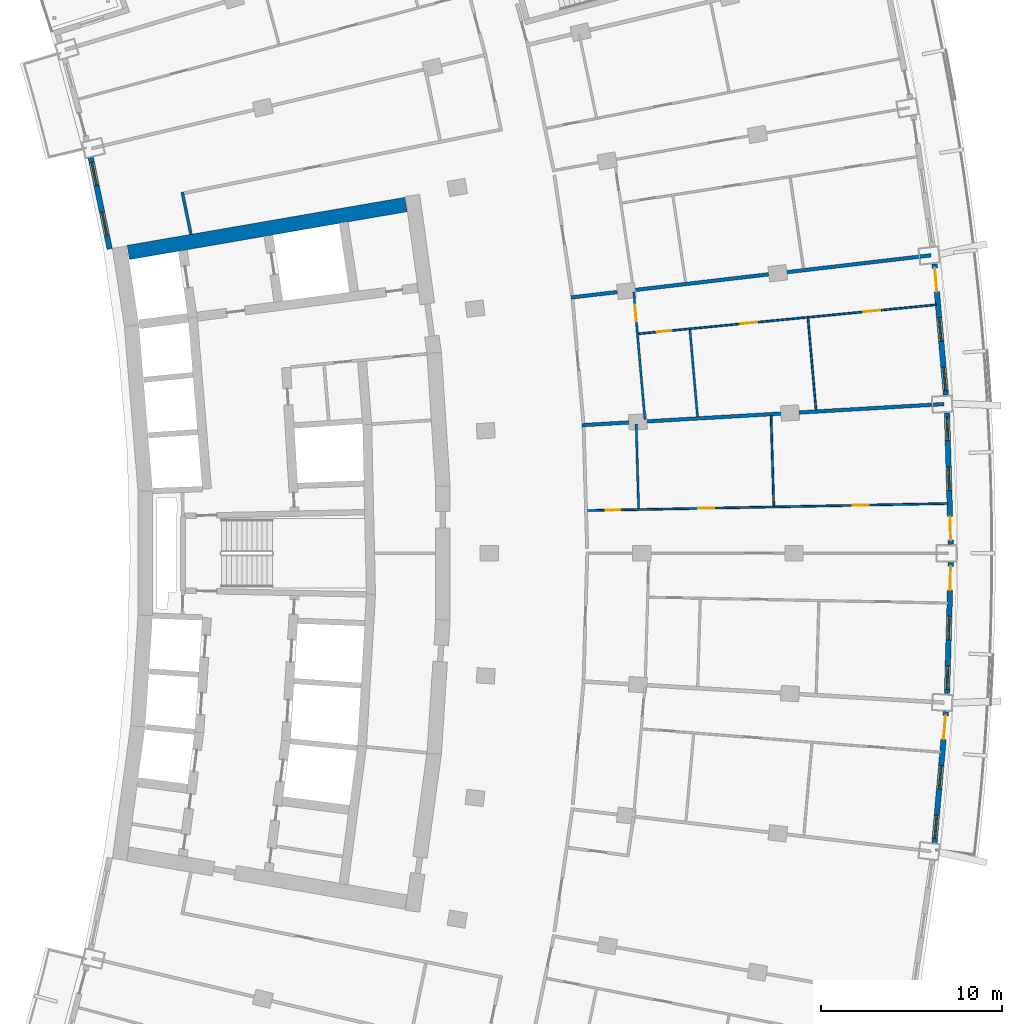
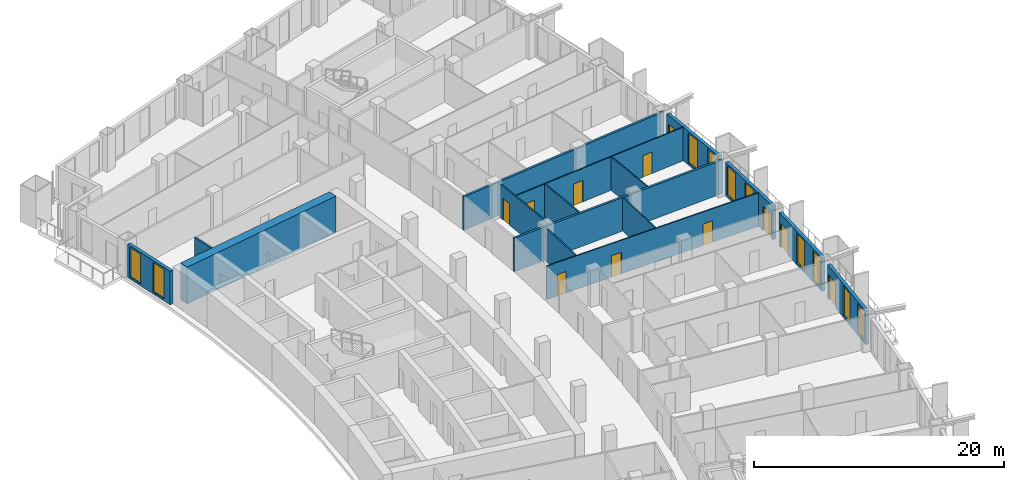
# One storey, part 18 of 25: 16 walls, 11 doors, 10 windows, 21 openings.
"""IFC4 building model written with IfcOpenShell, lengths in metres."""

import ifcopenshell
import ifcopenshell.guid

model = None  # the IFC model being written
_history = None  # IfcOwnerHistory: only IFC2X3 demands one
_inside = {}  # id of a spatial element -> (the spatial element, [elements in it])
_under = {}  # id of a project, library or spatial element -> (it, [spatial elements below it])
_declared = {}  # id of a project -> (the project, [libraries it declares])
_typed = {}  # id of a type object -> (the type object, [elements of that type])
_made_of = {}  # id of a material, layer set ... -> (it, [elements and type objects made of it])


def new_model(schema):
    """Start an empty IFC model of exactly this schema.

    Asked for "IFC4X3", IfcOpenShell would pick the latest addendum, in which some entities
    have other attributes; the version numbers below select the first issue.
    IFC2X3 requires an IfcOwnerHistory on every rooted entity: one is made here for all.
    """
    global model, _history
    if schema == "IFC4X3":
        model = ifcopenshell.file(schema_version=(4, 3, 0, 0))
    else:
        model = ifcopenshell.file(schema=schema)
    _inside.clear()
    _under.clear()
    _declared.clear()
    _typed.clear()
    _made_of.clear()
    _history = None
    if model.schema == "IFC2X3":
        org = make("IfcOrganization", Name="unknown")
        user = make(
            "IfcPersonAndOrganization",
            ThePerson=make("IfcPerson", FamilyName="unknown"),
            TheOrganization=org,
        )
        app = make(
            "IfcApplication",
            ApplicationDeveloper=org,
            Version="unknown",
            ApplicationFullName="unknown",
            ApplicationIdentifier="unknown",
        )
        _history = make(
            "IfcOwnerHistory",
            OwningUser=user,
            OwningApplication=app,
            ChangeAction="ADDED",
            CreationDate=0,
        )
    return model


def make(cls, **values):
    """One entity of the class cls with the attributes given. An attribute that is None is left unset."""
    return model.create_entity(
        cls, **{name: value for name, value in values.items() if value is not None}
    )


def rooted(cls, **values):
    """An entity with a GlobalId (a new one), such as an element, a storey or a relation."""
    return make(cls, GlobalId=ifcopenshell.guid.new(), OwnerHistory=_history, **values)


def si_unit(unit_type, name, prefix=None):
    """IfcSIUnit, for example si_unit("LENGTHUNIT", "METRE", prefix="MILLI")."""
    return make("IfcSIUnit", UnitType=unit_type, Prefix=prefix, Name=name)


def assignment(units):
    """IfcUnitAssignment: the units of a project."""
    return None if units is None else make("IfcUnitAssignment", Units=units)


def point(xyz):
    """IfcCartesianPoint."""
    return None if xyz is None else make("IfcCartesianPoint", Coordinates=xyz)


def direction(xyz):
    """IfcDirection."""
    return None if xyz is None else make("IfcDirection", DirectionRatios=xyz)


def frame(location, z_axis=None, x_axis=None):
    """IfcAxis2Placement3D, a coordinate frame: its origin and axes. An axis left out is left unset."""
    return make(
        "IfcAxis2Placement3D",
        Location=point(location),
        Axis=direction(z_axis),
        RefDirection=direction(x_axis),
    )


def frame_2d(location, x_axis=None):
    """IfcAxis2Placement2D, a coordinate frame in the plane: its origin and x axis."""
    return make(
        "IfcAxis2Placement2D", Location=point(location), RefDirection=direction(x_axis)
    )


def origin():
    """The frame at (0, 0, 0) with its axes left unset."""
    return frame((0.0, 0.0, 0.0))


def place(relative_to, where):
    """IfcLocalPlacement: puts the frame where relative to a parent placement (None: the world)."""
    return make(
        "IfcLocalPlacement", PlacementRelTo=relative_to, RelativePlacement=where
    )


def context(
    kind, dimensions, precision=None, world=None, true_north=None, identifier=None
):
    """IfcGeometricRepresentationContext, for example the 3D "Model" context."""
    return make(
        "IfcGeometricRepresentationContext",
        ContextIdentifier=identifier,
        ContextType=kind,
        CoordinateSpaceDimension=dimensions,
        Precision=precision,
        WorldCoordinateSystem=world,
        TrueNorth=true_north,
    )


def subcontext(parent, identifier, kind, view, scale=None):
    """IfcGeometricRepresentationSubContext, for example "Body" below "Model"."""
    return make(
        "IfcGeometricRepresentationSubContext",
        ContextIdentifier=identifier,
        ContextType=kind,
        ParentContext=parent,
        TargetScale=scale,
        TargetView=view,
    )


def project(units=None, contexts=None):
    """IfcProject with its units and contexts."""
    return rooted(
        "IfcProject",
        Name="project",
        RepresentationContexts=contexts,
        UnitsInContext=assignment(units),
    )


def spatial(cls, under=None, at=None, **own):
    """A site, building, storey or space (cls), placed at a placement, below another one or the project."""
    s = rooted(cls, ObjectPlacement=at, **own)
    if under is not None:
        _under.setdefault(under.id(), (under, []))[1].append(s)
    return s


def profile(cls, at=None, kind="AREA", **sizes):
    """A parametric profile (cls). Its sizes go by their IFC names, for example OverallWidth=200.0."""
    return make(cls, ProfileType=kind, Position=at, **sizes)


def rectangle(**sizes):
    """IfcRectangleProfileDef."""
    return profile("IfcRectangleProfileDef", **sizes)


def extrude(swept, where, along, depth):
    """IfcExtrudedAreaSolid: the profile swept, set in the frame where, extruded along a direction by depth."""
    return make(
        "IfcExtrudedAreaSolid",
        SweptArea=swept,
        Position=where,
        ExtrudedDirection=direction(along),
        Depth=depth,
    )


def shape(context_of_items, identifier, shape_type, items):
    """IfcShapeRepresentation: the items that make up one representation, for example the "Body"."""
    return make(
        "IfcShapeRepresentation",
        ContextOfItems=context_of_items,
        RepresentationIdentifier=identifier,
        RepresentationType=shape_type,
        Items=items,
    )


def material(Name=None, Category=None):
    """IfcMaterial."""
    return make("IfcMaterial", Name=Name, Category=Category)


def layer(
    of_material, thickness, ventilated=None, Name=None, Category=None, Priority=None
):
    """IfcMaterialLayer: one layer of a wall or slab, of a material (None: an air gap)."""
    return make(
        "IfcMaterialLayer",
        Material=of_material,
        LayerThickness=thickness,
        IsVentilated=ventilated,
        Name=Name,
        Category=Category,
        Priority=Priority,
    )


def layer_set(layers, Name=None):
    """IfcMaterialLayerSet."""
    return make("IfcMaterialLayerSet", MaterialLayers=layers, LayerSetName=Name)


def made_of(thing, what):
    """Note that an element or type object is made of a material, layer set ...; save() writes the relation."""
    if what is not None:
        _made_of.setdefault(what.id(), (what, []))[1].append(thing)
    return thing


def type_object(cls, material=None, **own):
    """A type object (cls), such as IfcWallType, which elements share."""
    return made_of(rooted(cls, **own), material)


def element(
    cls,
    number,
    at=None,
    inside=None,
    cuts=None,
    type_object=None,
    material=None,
    context=None,
    identifier="Body",
    shape_type=None,
    held_by="IfcProductDefinitionShape",
    body=None,
    shapes=None,
    **own,
):
    """One element of the class cls, such as IfcWall. Its Tag is "e" and its number.

    at: its placement. inside: the storey or other place that contains it. cuts: it is an
    opening in that element (IfcRelVoidsElement). A single representation is given by context,
    identifier, shape_type and body (its items); several are given by shapes. held_by: the class
    of the entity that holds the representations. save() writes the other relations.
    """
    e = rooted(cls, Tag="e%d" % number, ObjectPlacement=at, **own)
    if body is not None:
        shapes = [shape(context, identifier, shape_type, body)]
    if shapes is not None:
        e.Representation = make(held_by, Representations=shapes)
    if inside is not None:
        _inside.setdefault(inside.id(), (inside, []))[1].append(e)
    if cuts is not None:
        rooted(
            "IfcRelVoidsElement", RelatingBuildingElement=cuts, RelatedOpeningElement=e
        )
    if type_object is not None:
        _typed.setdefault(type_object.id(), (type_object, []))[1].append(e)
    return made_of(e, material)


def fill(opening, filler):
    """IfcRelFillsElement: the door or window that sits in an opening."""
    return rooted(
        "IfcRelFillsElement",
        RelatingOpeningElement=opening,
        RelatedBuildingElement=filler,
    )


def aggregate(whole, parts):
    """IfcRelAggregates: a whole, such as a stair, and the parts it consists of."""
    return rooted("IfcRelAggregates", RelatingObject=whole, RelatedObjects=parts)


def save(model, path):
    """Write the relations noted so far, then the file.

    IfcRelAggregates (storeys below a building ...), IfcRelContainedInSpatialStructure (elements
    in a storey), IfcRelDefinesByType, IfcRelAssociatesMaterial and IfcRelDeclares: one each for
    every whole, place, type object, material and project.
    """
    for whole, parts in _under.values():
        aggregate(whole, parts)
    for where, things in _inside.values():
        rooted(
            "IfcRelContainedInSpatialStructure",
            RelatedElements=things,
            RelatingStructure=where,
        )
    for kind, things in _typed.values():
        rooted("IfcRelDefinesByType", RelatedObjects=things, RelatingType=kind)
    for what, things in _made_of.values():
        rooted("IfcRelAssociatesMaterial", RelatedObjects=things, RelatingMaterial=what)
    for by, libraries in _declared.values():
        rooted("IfcRelDeclares", RelatingContext=by, RelatedDefinitions=libraries)
    model.write(path)


model = new_model("IFC4")

# Units and contexts
model_context = context("Model", 3, precision=1e-05, world=origin(), true_north=direction((0.0, 1.0)))
body_context = subcontext(model_context, "Body", "Model", "MODEL_VIEW")
ifc_project = project(units=[si_unit("LENGTHUNIT", "METRE"), si_unit("AREAUNIT", "SQUARE_METRE"), si_unit("VOLUMEUNIT", "CUBIC_METRE"), si_unit("PLANEANGLEUNIT", "RADIAN"), si_unit("MASSUNIT", "GRAM", prefix="KILO")], contexts=[model_context])

# Site, building, storey
site_placement = place(None, origin())
site = spatial("IfcSite", under=ifc_project, at=site_placement, CompositionType="ELEMENT")
building_placement = place(site_placement, origin())
building = spatial("IfcBuilding", under=site, at=building_placement, Name="Alderwake Tower", CompositionType="ELEMENT")
storey_placement = place(building_placement, frame((0.0, 0.0, 107.60009765625)))
storey = spatial("IfcBuildingStorey", under=building, at=storey_placement, Name="L26", CompositionType="ELEMENT", Elevation=107.60009765625)

# Walls
ifc_material_1 = material(Name="Concrete C70/85", Category="concrete")
ifc_layer_1 = layer(ifc_material_1, 0.800048828125)
ifc_layer_set_1 = layer_set([ifc_layer_1], Name="Core wall outer 800 C70-85")
wall_type_1 = type_object("IfcWallType", Name="Core wall outer 800 C70-85", PredefinedType="SHEAR", material=ifc_layer_set_1)
wall_1_placement = place(storey_placement, frame((15.900146484375, 77.577880859375, 0.0), z_axis=(0.0, 0.0, 1.0), x_axis=(0.985386601125, 0.170332751763, 0.0)))
element("IfcWall", 1, at=wall_1_placement, inside=storey, type_object=wall_type_1, Name="Core wall CW.054", PredefinedType="SHEAR", context=body_context, shape_type="SweptSolid", body=[
    extrude(rectangle(XDim=15.531494140625, YDim=0.800048828125, at=frame_2d((7.765625, 0.0))), origin(), (0.0, 0.0, 1.0), 3.599853515625),
])
ifc_material_2 = material(Name="Gypsum board on metal studs, rated")
ifc_layer_2 = layer(ifc_material_2, 0.159912109375)
ifc_layer_set_2 = layer_set([ifc_layer_2], Name="Corridor wall 160")
wall_type_2 = type_object("IfcWallType", Name="Corridor wall 160", PredefinedType="PARTITIONING", material=ifc_layer_set_2)
wall_2_placement = place(storey_placement, frame((18.874755859375, 80.910400390625, 0.0), z_axis=(0.0, 0.0, 1.0), x_axis=(0.202312089075, -0.979321100873, 0.0)))
element("IfcWall", 2, at=wall_2_placement, inside=storey, type_object=wall_type_2, Name="WL/L26/W19", PredefinedType="PARTITIONING", context=body_context, shape_type="SweptSolid", body=[
    extrude(rectangle(XDim=2.39306640625, YDim=0.159912109375, at=frame_2d((1.196533203125, 0.0))), origin(), (0.0, 0.0, 1.0), 3.27978515625),
])

# Wall, openings, door, windows
ifc_material_3 = material(Name="Precast concrete C50/60 spandrel panel", Category="concrete")
ifc_layer_3 = layer(ifc_material_3, 0.300048828125)
ifc_layer_set_3 = layer_set([ifc_layer_3], Name="External wall EW1 Precast concrete C50/60 spandrel")
wall_type_3 = type_object("IfcWallType", Name="External wall EW1 Precast concrete C50/60 spandrel", PredefinedType="SOLIDWALL", material=ifc_layer_set_3)
wall_3_placement = place(storey_placement, frame((60.33349609375, 45.05517578125, 0.0), z_axis=(0.0, 0.0, 1.0), x_axis=(0.087394900945, 0.996173745533, 0.0)))
wall_3 = element("IfcWall", 3, at=wall_3_placement, inside=storey, type_object=wall_type_3, Name="External wall 15", PredefinedType="SOLIDWALL", context=body_context, shape_type="SweptSolid", body=[
    extrude(rectangle(XDim=7.24072265625, YDim=0.300048828125, at=frame_2d((3.620361328125, 0.0))), origin(), (0.0, 0.0, 1.0), 3.27978515625),
])
opening_1_placement = place(wall_3_placement, frame((0.22900390625, 0.0, 0.199951171875)))
opening_1 = element("IfcOpeningElement", 4, at=opening_1_placement, cuts=wall_3, Name="Opening W1", PredefinedType="OPENING", context=body_context, shape_type="SweptSolid", body=[
    extrude(rectangle(XDim=1.300048828125, YDim=2.89990234375, at=frame_2d((0.64990234375, 1.449951171875))), frame((0.0, 0.159912109375, 0.0), z_axis=(0.0, -1.0, 0.0), x_axis=(1.0, 0.0, 0.0)), (0.0, 0.0, 1.0), 0.320068359375),
])
opening_2_placement = place(wall_3_placement, frame((2.970458984375, 0.0, 0.199951171875)))
opening_2 = element("IfcOpeningElement", 5, at=opening_2_placement, cuts=wall_3, Name="Opening W1", PredefinedType="OPENING", context=body_context, shape_type="SweptSolid", body=[
    extrude(rectangle(XDim=1.300048828125, YDim=2.89990234375, at=frame_2d((0.64990234375, 1.449951171875))), frame((0.0, 0.159912109375, 0.0), z_axis=(0.0, -1.0, 0.0), x_axis=(1.0, 0.0, 0.0)), (0.0, 0.0, 1.0), 0.320068359375),
])
opening_3_placement = place(wall_3_placement, frame((5.711669921875, 0.0, 0.0)))
opening_3 = element("IfcOpeningElement", 6, at=opening_3_placement, cuts=wall_3, Name="Opening D05", PredefinedType="OPENING", context=body_context, shape_type="SweptSolid", body=[
    extrude(rectangle(XDim=1.300048828125, YDim=2.39990234375, at=frame_2d((0.64990234375, 1.199951171875))), frame((0.0, 0.159912109375, 0.0), z_axis=(0.0, -1.0, 0.0), x_axis=(1.0, 0.0, 0.0)), (0.0, 0.0, 1.0), 0.320068359375),
])
ifc_material_4 = material(Name="Bronze tinted glass in aluminium frame", Category="aluminium")
door_type_1 = type_object("IfcDoorType", Name="Balcony door BD sliding", OperationType="SLIDING_TO_LEFT", PredefinedType="DOOR", material=ifc_material_4)
door_1_placement = place(opening_3_placement, origin())
door_1 = element("IfcDoor", 7, at=door_1_placement, inside=storey, type_object=door_type_1, Name="Door D05", OperationType="SLIDING_TO_LEFT", OverallHeight=2.39990234375, OverallWidth=1.300048828125, PredefinedType="DOOR", context=body_context, shape_type="SweptSolid", body=[
    extrude(rectangle(XDim=1.300048828125, YDim=2.39990234375, at=frame_2d((0.64990234375, 1.199951171875))), frame((0.0, 0.02490234375, 0.0), z_axis=(0.0, -1.0, 0.0), x_axis=(1.0, 0.0, 0.0)), (0.0, 0.0, 1.0), 0.050048828125),
])
fill(opening_3, door_1)
ifc_material_5 = material(Name="Bronze tinted glass in aluminium frame", Category="aluminium")
window_type = type_object("IfcWindowType", Name="Window W1 tall fixed and vent", PartitioningType="DOUBLE_PANEL_VERTICAL", PredefinedType="WINDOW", material=ifc_material_5)
window_1_placement = place(opening_1_placement, origin())
window_1 = element("IfcWindow", 8, at=window_1_placement, inside=storey, type_object=window_type, Name="Window W1 tall fixed and vent", OverallHeight=2.89990234375, OverallWidth=1.300048828125, PartitioningType="DOUBLE_PANEL_VERTICAL", PredefinedType="WINDOW", context=body_context, shape_type="SweptSolid", body=[
    extrude(rectangle(XDim=1.300048828125, YDim=2.89990234375, at=frame_2d((0.64990234375, 1.449951171875))), frame((0.0, 0.030029296875, 0.0), z_axis=(0.0, -1.0, 0.0), x_axis=(1.0, 0.0, 0.0)), (0.0, 0.0, 1.0), 0.06005859375),
])
fill(opening_1, window_1)
window_2_placement = place(opening_2_placement, origin())
window_2 = element("IfcWindow", 9, at=window_2_placement, inside=storey, type_object=window_type, Name="Window W1 tall fixed and vent", OverallHeight=2.89990234375, OverallWidth=1.300048828125, PartitioningType="DOUBLE_PANEL_VERTICAL", PredefinedType="WINDOW", context=body_context, shape_type="SweptSolid", body=[
    extrude(rectangle(XDim=1.300048828125, YDim=2.89990234375, at=frame_2d((0.64990234375, 1.449951171875))), frame((0.0, 0.030029296875, 0.0), z_axis=(0.0, -1.0, 0.0), x_axis=(1.0, 0.0, 0.0)), (0.0, 0.0, 1.0), 0.06005859375),
])
fill(opening_2, window_2)

wall_4_placement = place(storey_placement, frame((61.0244140625, 53.263916015625, 0.0), z_axis=(0.0, 0.0, 1.0), x_axis=(0.029132510791, 0.999575558332, 0.0)))
wall_4 = element("IfcWall", 10, at=wall_4_placement, inside=storey, type_object=wall_type_3, Name="External wall 16", PredefinedType="SOLIDWALL", context=body_context, shape_type="SweptSolid", body=[
    extrude(rectangle(XDim=7.24072265625, YDim=0.300048828125, at=frame_2d((3.620361328125, 0.0))), origin(), (0.0, 0.0, 1.0), 3.27978515625),
])
opening_4_placement = place(wall_4_placement, frame((0.22900390625, 0.0, 0.199951171875)))
opening_4 = element("IfcOpeningElement", 11, at=opening_4_placement, cuts=wall_4, Name="Opening W1", PredefinedType="OPENING", context=body_context, shape_type="SweptSolid", body=[
    extrude(rectangle(XDim=1.300048828125, YDim=2.89990234375, at=frame_2d((0.64990234375, 1.449951171875))), frame((0.0, 0.159912109375, 0.0), z_axis=(0.0, -1.0, 0.0), x_axis=(1.0, 0.0, 0.0)), (0.0, 0.0, 1.0), 0.320068359375),
])
opening_5_placement = place(wall_4_placement, frame((2.97021484375, 0.0, 0.199951171875)))
opening_5 = element("IfcOpeningElement", 12, at=opening_5_placement, cuts=wall_4, Name="Opening W1", PredefinedType="OPENING", context=body_context, shape_type="SweptSolid", body=[
    extrude(rectangle(XDim=1.300048828125, YDim=2.89990234375, at=frame_2d((0.64990234375, 1.449951171875))), frame((0.0, 0.159912109375, 0.0), z_axis=(0.0, -1.0, 0.0), x_axis=(1.0, 0.0, 0.0)), (0.0, 0.0, 1.0), 0.320068359375),
])
opening_6_placement = place(wall_4_placement, frame((5.711669921875, 0.0, 0.0)))
opening_6 = element("IfcOpeningElement", 13, at=opening_6_placement, cuts=wall_4, Name="Opening D06", PredefinedType="OPENING", context=body_context, shape_type="SweptSolid", body=[
    extrude(rectangle(XDim=1.300048828125, YDim=2.39990234375, at=frame_2d((0.64990234375, 1.199951171875))), frame((0.0, 0.159912109375, 0.0), z_axis=(0.0, -1.0, 0.0), x_axis=(1.0, 0.0, 0.0)), (0.0, 0.0, 1.0), 0.320068359375),
])
door_2_placement = place(opening_6_placement, origin())
door_2 = element("IfcDoor", 14, at=door_2_placement, inside=storey, type_object=door_type_1, Name="Door D06", OperationType="SLIDING_TO_LEFT", OverallHeight=2.39990234375, OverallWidth=1.300048828125, PredefinedType="DOOR", context=body_context, shape_type="SweptSolid", body=[
    extrude(rectangle(XDim=1.300048828125, YDim=2.39990234375, at=frame_2d((0.64990234375, 1.199951171875))), frame((0.0, 0.02490234375, 0.0), z_axis=(0.0, -1.0, 0.0), x_axis=(1.0, 0.0, 0.0)), (0.0, 0.0, 1.0), 0.050048828125),
])
fill(opening_6, door_2)
window_3_placement = place(opening_4_placement, origin())
window_3 = element("IfcWindow", 15, at=window_3_placement, inside=storey, type_object=window_type, Name="Window W1 tall fixed and vent", OverallHeight=2.89990234375, OverallWidth=1.300048828125, PartitioningType="DOUBLE_PANEL_VERTICAL", PredefinedType="WINDOW", context=body_context, shape_type="SweptSolid", body=[
    extrude(rectangle(XDim=1.300048828125, YDim=2.89990234375, at=frame_2d((0.64990234375, 1.449951171875))), frame((0.0, 0.030029296875, 0.0), z_axis=(0.0, -1.0, 0.0), x_axis=(1.0, 0.0, 0.0)), (0.0, 0.0, 1.0), 0.06005859375),
])
fill(opening_4, window_3)
window_4_placement = place(opening_5_placement, origin())
window_4 = element("IfcWindow", 16, at=window_4_placement, inside=storey, type_object=window_type, Name="Window W1 tall fixed and vent", OverallHeight=2.89990234375, OverallWidth=1.300048828125, PartitioningType="DOUBLE_PANEL_VERTICAL", PredefinedType="WINDOW", context=body_context, shape_type="SweptSolid", body=[
    extrude(rectangle(XDim=1.300048828125, YDim=2.89990234375, at=frame_2d((0.64990234375, 1.449951171875))), frame((0.0, 0.030029296875, 0.0), z_axis=(0.0, -1.0, 0.0), x_axis=(1.0, 0.0, 0.0)), (0.0, 0.0, 1.0), 0.06005859375),
])
fill(opening_5, window_4)

wall_5_placement = place(storey_placement, frame((61.2353515625, 61.49853515625, 0.0), z_axis=(0.0, 0.0, 1.0), x_axis=(-0.029132510791, 0.999575558332, 0.0)))
wall_5 = element("IfcWall", 17, at=wall_5_placement, inside=storey, type_object=wall_type_3, Name="External wall 17", PredefinedType="SOLIDWALL", context=body_context, shape_type="SweptSolid", body=[
    extrude(rectangle(XDim=7.24072265625, YDim=0.300048828125, at=frame_2d((3.620361328125, 0.0))), origin(), (0.0, 0.0, 1.0), 3.27978515625),
])
opening_7_placement = place(wall_5_placement, frame((0.22900390625, 0.0, 0.0)))
opening_7 = element("IfcOpeningElement", 18, at=opening_7_placement, cuts=wall_5, Name="Opening D07", PredefinedType="OPENING", context=body_context, shape_type="SweptSolid", body=[
    extrude(rectangle(XDim=1.300048828125, YDim=2.39990234375, at=frame_2d((0.64990234375, 1.199951171875))), frame((0.0, 0.159912109375, 0.0), z_axis=(0.0, -1.0, 0.0), x_axis=(1.0, 0.0, 0.0)), (0.0, 0.0, 1.0), 0.320068359375),
])
opening_8_placement = place(wall_5_placement, frame((2.97021484375, 0.0, 0.199951171875)))
opening_8 = element("IfcOpeningElement", 19, at=opening_8_placement, cuts=wall_5, Name="Opening W1", PredefinedType="OPENING", context=body_context, shape_type="SweptSolid", body=[
    extrude(rectangle(XDim=1.300048828125, YDim=2.89990234375, at=frame_2d((0.64990234375, 1.449951171875))), frame((0.0, 0.159912109375, 0.0), z_axis=(0.0, -1.0, 0.0), x_axis=(1.0, 0.0, 0.0)), (0.0, 0.0, 1.0), 0.320068359375),
])
opening_9_placement = place(wall_5_placement, frame((5.711669921875, 0.0, 0.199951171875)))
opening_9 = element("IfcOpeningElement", 20, at=opening_9_placement, cuts=wall_5, Name="Opening W1", PredefinedType="OPENING", context=body_context, shape_type="SweptSolid", body=[
    extrude(rectangle(XDim=1.300048828125, YDim=2.89990234375, at=frame_2d((0.64990234375, 1.449951171875))), frame((0.0, 0.159912109375, 0.0), z_axis=(0.0, -1.0, 0.0), x_axis=(1.0, 0.0, 0.0)), (0.0, 0.0, 1.0), 0.320068359375),
])
door_3_placement = place(opening_7_placement, origin())
door_3 = element("IfcDoor", 21, at=door_3_placement, inside=storey, type_object=door_type_1, Name="Door D07", OperationType="SLIDING_TO_LEFT", OverallHeight=2.39990234375, OverallWidth=1.300048828125, PredefinedType="DOOR", context=body_context, shape_type="SweptSolid", body=[
    extrude(rectangle(XDim=1.300048828125, YDim=2.39990234375, at=frame_2d((0.64990234375, 1.199951171875))), frame((0.0, 0.02490234375, 0.0), z_axis=(0.0, -1.0, 0.0), x_axis=(1.0, 0.0, 0.0)), (0.0, 0.0, 1.0), 0.050048828125),
])
fill(opening_7, door_3)
window_5_placement = place(opening_8_placement, origin())
window_5 = element("IfcWindow", 22, at=window_5_placement, inside=storey, type_object=window_type, Name="Window W1 tall fixed and vent", OverallHeight=2.89990234375, OverallWidth=1.300048828125, PartitioningType="DOUBLE_PANEL_VERTICAL", PredefinedType="WINDOW", context=body_context, shape_type="SweptSolid", body=[
    extrude(rectangle(XDim=1.300048828125, YDim=2.89990234375, at=frame_2d((0.64990234375, 1.449951171875))), frame((0.0, 0.030029296875, 0.0), z_axis=(0.0, -1.0, 0.0), x_axis=(1.0, 0.0, 0.0)), (0.0, 0.0, 1.0), 0.06005859375),
])
fill(opening_8, window_5)
window_6_placement = place(opening_9_placement, origin())
window_6 = element("IfcWindow", 23, at=window_6_placement, inside=storey, type_object=window_type, Name="Window W1 tall fixed and vent", OverallHeight=2.89990234375, OverallWidth=1.300048828125, PartitioningType="DOUBLE_PANEL_VERTICAL", PredefinedType="WINDOW", context=body_context, shape_type="SweptSolid", body=[
    extrude(rectangle(XDim=1.300048828125, YDim=2.89990234375, at=frame_2d((0.64990234375, 1.449951171875))), frame((0.0, 0.030029296875, 0.0), z_axis=(0.0, -1.0, 0.0), x_axis=(1.0, 0.0, 0.0)), (0.0, 0.0, 1.0), 0.06005859375),
])
fill(opening_9, window_6)

wall_6_placement = place(storey_placement, frame((60.96630859375, 69.731689453125, 0.0), z_axis=(0.0, 0.0, 1.0), x_axis=(-0.087394900945, 0.996173745533, 0.0)))
wall_6 = element("IfcWall", 24, at=wall_6_placement, inside=storey, type_object=wall_type_3, Name="External wall 18", PredefinedType="SOLIDWALL", context=body_context, shape_type="SweptSolid", body=[
    extrude(rectangle(XDim=7.24072265625, YDim=0.300048828125, at=frame_2d((3.620361328125, 0.0))), origin(), (0.0, 0.0, 1.0), 3.27978515625),
])
opening_10_placement = place(wall_6_placement, frame((0.22900390625, 0.0, 0.199951171875)))
opening_10 = element("IfcOpeningElement", 25, at=opening_10_placement, cuts=wall_6, Name="Opening W1", PredefinedType="OPENING", context=body_context, shape_type="SweptSolid", body=[
    extrude(rectangle(XDim=1.300048828125, YDim=2.89990234375, at=frame_2d((0.64990234375, 1.449951171875))), frame((0.0, 0.159912109375, 0.0), z_axis=(0.0, -1.0, 0.0), x_axis=(1.0, 0.0, 0.0)), (0.0, 0.0, 1.0), 0.320068359375),
])
opening_11_placement = place(wall_6_placement, frame((2.970458984375, 0.0, 0.199951171875)))
opening_11 = element("IfcOpeningElement", 26, at=opening_11_placement, cuts=wall_6, Name="Opening W1", PredefinedType="OPENING", context=body_context, shape_type="SweptSolid", body=[
    extrude(rectangle(XDim=1.300048828125, YDim=2.89990234375, at=frame_2d((0.64990234375, 1.449951171875))), frame((0.0, 0.159912109375, 0.0), z_axis=(0.0, -1.0, 0.0), x_axis=(1.0, 0.0, 0.0)), (0.0, 0.0, 1.0), 0.320068359375),
])
opening_12_placement = place(wall_6_placement, frame((5.711669921875, 0.0, 0.0)))
opening_12 = element("IfcOpeningElement", 27, at=opening_12_placement, cuts=wall_6, Name="Opening D08", PredefinedType="OPENING", context=body_context, shape_type="SweptSolid", body=[
    extrude(rectangle(XDim=1.300048828125, YDim=2.39990234375, at=frame_2d((0.64990234375, 1.199951171875))), frame((0.0, 0.159912109375, 0.0), z_axis=(0.0, -1.0, 0.0), x_axis=(1.0, 0.0, 0.0)), (0.0, 0.0, 1.0), 0.320068359375),
])
door_4_placement = place(opening_12_placement, origin())
door_4 = element("IfcDoor", 28, at=door_4_placement, inside=storey, type_object=door_type_1, Name="Door D08", OperationType="SLIDING_TO_LEFT", OverallHeight=2.39990234375, OverallWidth=1.300048828125, PredefinedType="DOOR", context=body_context, shape_type="SweptSolid", body=[
    extrude(rectangle(XDim=1.300048828125, YDim=2.39990234375, at=frame_2d((0.64990234375, 1.199951171875))), frame((0.0, 0.02490234375, 0.0), z_axis=(0.0, -1.0, 0.0), x_axis=(1.0, 0.0, 0.0)), (0.0, 0.0, 1.0), 0.050048828125),
])
fill(opening_12, door_4)
window_7_placement = place(opening_10_placement, origin())
window_7 = element("IfcWindow", 29, at=window_7_placement, inside=storey, type_object=window_type, Name="Window W1 tall fixed and vent", OverallHeight=2.89990234375, OverallWidth=1.300048828125, PartitioningType="DOUBLE_PANEL_VERTICAL", PredefinedType="WINDOW", context=body_context, shape_type="SweptSolid", body=[
    extrude(rectangle(XDim=1.300048828125, YDim=2.89990234375, at=frame_2d((0.64990234375, 1.449951171875))), frame((0.0, 0.030029296875, 0.0), z_axis=(0.0, -1.0, 0.0), x_axis=(1.0, 0.0, 0.0)), (0.0, 0.0, 1.0), 0.06005859375),
])
fill(opening_10, window_7)
window_8_placement = place(opening_11_placement, origin())
window_8 = element("IfcWindow", 30, at=window_8_placement, inside=storey, type_object=window_type, Name="Window W1 tall fixed and vent", OverallHeight=2.89990234375, OverallWidth=1.300048828125, PartitioningType="DOUBLE_PANEL_VERTICAL", PredefinedType="WINDOW", context=body_context, shape_type="SweptSolid", body=[
    extrude(rectangle(XDim=1.300048828125, YDim=2.89990234375, at=frame_2d((0.64990234375, 1.449951171875))), frame((0.0, 0.030029296875, 0.0), z_axis=(0.0, -1.0, 0.0), x_axis=(1.0, 0.0, 0.0)), (0.0, 0.0, 1.0), 0.06005859375),
])
fill(opening_11, window_8)

# Wall, openings, windows
wall_7_placement = place(storey_placement, frame((13.83740234375, 82.803955078125, 0.0), z_axis=(0.0, 0.0, 1.0), x_axis=(0.202723539143, -0.979236011734, 0.0)))
wall_7 = element("IfcWall", 31, at=wall_7_placement, inside=storey, type_object=wall_type_3, Name="External wall 34", PredefinedType="SOLIDWALL", context=body_context, shape_type="SweptSolid", body=[
    extrude(rectangle(XDim=5.134033203125, YDim=0.300048828125, at=frame_2d((2.56689453125, 0.0))), origin(), (0.0, 0.0, 1.0), 3.27978515625),
])
opening_13_placement = place(wall_7_placement, frame((0.264892578125, 0.0, 0.199951171875)))
opening_13 = element("IfcOpeningElement", 32, at=opening_13_placement, cuts=wall_7, Name="Opening W1", PredefinedType="OPENING", context=body_context, shape_type="SweptSolid", body=[
    extrude(rectangle(XDim=1.300048828125, YDim=2.89990234375, at=frame_2d((0.64990234375, 1.449951171875))), frame((0.0, 0.159912109375, 0.0), z_axis=(0.0, -1.0, 0.0), x_axis=(1.0, 0.0, 0.0)), (0.0, 0.0, 1.0), 0.320068359375),
])
opening_14_placement = place(wall_7_placement, frame((3.077392578125, 0.0, 0.199951171875)))
opening_14 = element("IfcOpeningElement", 33, at=opening_14_placement, cuts=wall_7, Name="Opening W1", PredefinedType="OPENING", context=body_context, shape_type="SweptSolid", body=[
    extrude(rectangle(XDim=1.300048828125, YDim=2.89990234375, at=frame_2d((0.64990234375, 1.449951171875))), frame((0.0, 0.159912109375, 0.0), z_axis=(0.0, -1.0, 0.0), x_axis=(1.0, 0.0, 0.0)), (0.0, 0.0, 1.0), 0.320068359375),
])
window_9_placement = place(opening_13_placement, origin())
window_9 = element("IfcWindow", 34, at=window_9_placement, inside=storey, type_object=window_type, Name="Window W1 tall fixed and vent", OverallHeight=2.89990234375, OverallWidth=1.300048828125, PartitioningType="DOUBLE_PANEL_VERTICAL", PredefinedType="WINDOW", context=body_context, shape_type="SweptSolid", body=[
    extrude(rectangle(XDim=1.300048828125, YDim=2.89990234375, at=frame_2d((0.64990234375, 1.449951171875))), frame((0.0, 0.030029296875, 0.0), z_axis=(0.0, -1.0, 0.0), x_axis=(1.0, 0.0, 0.0)), (0.0, 0.0, 1.0), 0.06005859375),
])
fill(opening_13, window_9)
window_10_placement = place(opening_14_placement, origin())
window_10 = element("IfcWindow", 35, at=window_10_placement, inside=storey, type_object=window_type, Name="Window W1 tall fixed and vent", OverallHeight=2.89990234375, OverallWidth=1.300048828125, PartitioningType="DOUBLE_PANEL_VERTICAL", PredefinedType="WINDOW", context=body_context, shape_type="SweptSolid", body=[
    extrude(rectangle(XDim=1.300048828125, YDim=2.89990234375, at=frame_2d((0.64990234375, 1.449951171875))), frame((0.0, 0.030029296875, 0.0), z_axis=(0.0, -1.0, 0.0), x_axis=(1.0, 0.0, 0.0)), (0.0, 0.0, 1.0), 0.06005859375),
])
fill(opening_14, window_10)

# Walls
ifc_material_6 = material(Name="Dense block masonry wall", Category="masonry")
ifc_layer_4 = layer(ifc_material_6, 0.199951171875)
ifc_layer_set_4 = layer_set([ifc_layer_4], Name="Party wall 200")
wall_type_4 = type_object("IfcWallType", Name="Party wall 200", PredefinedType="SOLIDWALL", material=ifc_layer_set_4)
wall_8_placement = place(storey_placement, frame((40.297607421875, 75.0986328125, 0.0), z_axis=(0.0, 0.0, 1.0), x_axis=(0.993203301945, 0.11639244394, 0.0)))
element("IfcWall", 36, at=wall_8_placement, inside=storey, type_object=wall_type_4, Name="WL/L26/W08", PredefinedType="SOLIDWALL", context=body_context, shape_type="SweptSolid", body=[
    extrude(rectangle(XDim=19.979248046875, YDim=0.199951171875, at=frame_2d((9.98974609375, 0.0))), origin(), (0.0, 0.0, 1.0), 3.27978515625),
])
wall_9_placement = place(storey_placement, frame((60.861083984375, 69.22509765625, 0.0), z_axis=(0.0, 0.0, 1.0), x_axis=(-0.998304911641, -0.058200544611, 0.0)))
element("IfcWall", 37, at=wall_9_placement, inside=storey, type_object=wall_type_4, Name="WL/L26/W11", PredefinedType="SOLIDWALL", context=body_context, shape_type="SweptSolid", body=[
    extrude(rectangle(XDim=19.97998046875, YDim=0.199951171875, at=frame_2d((9.989990234375, 0.0))), origin(), (0.0, 0.0, 1.0), 3.27978515625),
])

# Wall, openings, doors
ifc_material_7 = material(Name="Gypsum board on metal studs")
ifc_layer_5 = layer(ifc_material_7, 0.10009765625)
ifc_layer_set_5 = layer_set([ifc_layer_5], Name="Unit partition 100")
wall_type_5 = type_object("IfcWallType", Name="Unit partition 100", PredefinedType="PARTITIONING", material=ifc_layer_set_5)
wall_10_placement = place(storey_placement, frame((41.2099609375, 63.355712890625, 0.0), z_axis=(0.0, 0.0, 1.0), x_axis=(0.999809052465, 0.019541202855, 0.0)))
wall_10 = element("IfcWall", 38, at=wall_10_placement, inside=storey, type_object=wall_type_5, Name="WL/L26/W74", PredefinedType="PARTITIONING", context=body_context, shape_type="SweptSolid", body=[
    extrude(rectangle(XDim=19.864990234375, YDim=0.10009765625, at=frame_2d((9.9326171875, 0.0))), origin(), (0.0, 0.0, 1.0), 3.27978515625),
])
opening_15_placement = place(wall_10_placement, frame((6.093994140625, 0.0, 0.0)))
opening_15 = element("IfcOpeningElement", 39, at=opening_15_placement, cuts=wall_10, Name="Opening R07-U07.6", PredefinedType="OPENING", context=body_context, shape_type="SweptSolid", body=[
    extrude(rectangle(XDim=0.89990234375, YDim=2.10009765625, at=frame_2d((0.449951171875, 1.050048828125))), frame((0.0, 0.06005859375, 0.0), z_axis=(0.0, -1.0, 0.0), x_axis=(1.0, 0.0, 0.0)), (0.0, 0.0, 1.0), 0.1201171875),
])
opening_16_placement = place(wall_10_placement, frame((1.010009765625, 0.0, 0.0)))
opening_16 = element("IfcOpeningElement", 40, at=opening_16_placement, cuts=wall_10, Name="Opening R07-U07.7", PredefinedType="OPENING", context=body_context, shape_type="SweptSolid", body=[
    extrude(rectangle(XDim=0.800048828125, YDim=2.10009765625, at=frame_2d((0.39990234375, 1.050048828125))), frame((0.0, 0.06005859375, 0.0), z_axis=(0.0, -1.0, 0.0), x_axis=(1.0, 0.0, 0.0)), (0.0, 0.0, 1.0), 0.1201171875),
])
opening_17_placement = place(wall_10_placement, frame((14.615966796875, 0.0, 0.0)))
opening_17 = element("IfcOpeningElement", 41, at=opening_17_placement, cuts=wall_10, Name="Opening R07-U07.8", PredefinedType="OPENING", context=body_context, shape_type="SweptSolid", body=[
    extrude(rectangle(XDim=0.89990234375, YDim=2.10009765625, at=frame_2d((0.449951171875, 1.050048828125))), frame((0.0, 0.06005859375, 0.0), z_axis=(0.0, -1.0, 0.0), x_axis=(1.0, 0.0, 0.0)), (0.0, 0.0, 1.0), 0.1201171875),
])
ifc_material_8 = material(Name="Painted timber leaf", Category="wood")
door_type_2 = type_object("IfcDoorType", Name="Bathroom door 800", OperationType="SINGLE_SWING_LEFT", PredefinedType="DOOR", material=ifc_material_8)
door_5_placement = place(opening_16_placement, origin())
door_5 = element("IfcDoor", 42, at=door_5_placement, inside=storey, type_object=door_type_2, Name="DR/L26/U07.7", OperationType="SINGLE_SWING_LEFT", OverallHeight=2.10009765625, OverallWidth=0.800048828125, PredefinedType="DOOR", context=body_context, shape_type="SweptSolid", body=[
    extrude(rectangle(XDim=0.800048828125, YDim=2.10009765625, at=frame_2d((0.39990234375, 1.050048828125))), frame((0.0, 0.02490234375, 0.0), z_axis=(0.0, -1.0, 0.0), x_axis=(1.0, 0.0, 0.0)), (0.0, 0.0, 1.0), 0.050048828125),
])
fill(opening_16, door_5)
ifc_material_9 = material(Name="Painted timber leaf", Category="wood")
door_type_3 = type_object("IfcDoorType", Name="Room door 900", OperationType="SINGLE_SWING_LEFT", PredefinedType="DOOR", material=ifc_material_9)
door_6_placement = place(opening_15_placement, origin())
door_6 = element("IfcDoor", 43, at=door_6_placement, inside=storey, type_object=door_type_3, Name="DR/L26/U07.6", OperationType="SINGLE_SWING_LEFT", OverallHeight=2.10009765625, OverallWidth=0.89990234375, PredefinedType="DOOR", context=body_context, shape_type="SweptSolid", body=[
    extrude(rectangle(XDim=0.89990234375, YDim=2.10009765625, at=frame_2d((0.449951171875, 1.050048828125))), frame((0.0, 0.02490234375, 0.0), z_axis=(0.0, -1.0, 0.0), x_axis=(1.0, 0.0, 0.0)), (0.0, 0.0, 1.0), 0.050048828125),
])
fill(opening_15, door_6)
door_7_placement = place(opening_17_placement, origin())
door_7 = element("IfcDoor", 44, at=door_7_placement, inside=storey, type_object=door_type_3, Name="DR/L26/U07.8", OperationType="SINGLE_SWING_LEFT", OverallHeight=2.10009765625, OverallWidth=0.89990234375, PredefinedType="DOOR", context=body_context, shape_type="SweptSolid", body=[
    extrude(rectangle(XDim=0.89990234375, YDim=2.10009765625, at=frame_2d((0.449951171875, 1.050048828125))), frame((0.0, 0.02490234375, 0.0), z_axis=(0.0, -1.0, 0.0), x_axis=(1.0, 0.0, 0.0)), (0.0, 0.0, 1.0), 0.050048828125),
])
fill(opening_17, door_7)

wall_11_placement = place(storey_placement, frame((60.428955078125, 74.697021484375, 0.0), z_axis=(0.0, 0.0, 1.0), x_axis=(-0.995282242247, -0.097021947356, 0.0)))
wall_11 = element("IfcWall", 45, at=wall_11_placement, inside=storey, type_object=wall_type_5, Name="WL/L26/W77", PredefinedType="PARTITIONING", context=body_context, shape_type="SweptSolid", body=[
    extrude(rectangle(XDim=16.48193359375, YDim=0.10009765625, at=frame_2d((8.240966796875, 0.0))), origin(), (0.0, 0.0, 1.0), 3.27978515625),
])
opening_18_placement = place(wall_11_placement, frame((9.924072265625, 0.0, 0.0)))
opening_18 = element("IfcOpeningElement", 46, at=opening_18_placement, cuts=wall_11, Name="Opening R07-U08.1", PredefinedType="OPENING", context=body_context, shape_type="SweptSolid", body=[
    extrude(rectangle(XDim=0.89990234375, YDim=2.10009765625, at=frame_2d((0.449951171875, 1.050048828125))), frame((0.0, 0.06005859375, 0.0), z_axis=(0.0, -1.0, 0.0), x_axis=(1.0, 0.0, 0.0)), (0.0, 0.0, 1.0), 0.1201171875),
])
opening_19_placement = place(wall_11_placement, frame((14.662841796875, 0.0, 0.0)))
opening_19 = element("IfcOpeningElement", 47, at=opening_19_placement, cuts=wall_11, Name="Opening R07-U08.4", PredefinedType="OPENING", context=body_context, shape_type="SweptSolid", body=[
    extrude(rectangle(XDim=0.800048828125, YDim=2.10009765625, at=frame_2d((0.39990234375, 1.050048828125))), frame((0.0, 0.06005859375, 0.0), z_axis=(0.0, -1.0, 0.0), x_axis=(1.0, 0.0, 0.0)), (0.0, 0.0, 1.0), 0.1201171875),
])
opening_20_placement = place(wall_11_placement, frame((3.102294921875, 0.0, 0.0)))
opening_20 = element("IfcOpeningElement", 48, at=opening_20_placement, cuts=wall_11, Name="Opening R07-U08.5", PredefinedType="OPENING", context=body_context, shape_type="SweptSolid", body=[
    extrude(rectangle(XDim=0.89990234375, YDim=2.10009765625, at=frame_2d((0.449951171875, 1.050048828125))), frame((0.0, 0.06005859375, 0.0), z_axis=(0.0, -1.0, 0.0), x_axis=(1.0, 0.0, 0.0)), (0.0, 0.0, 1.0), 0.1201171875),
])
door_8_placement = place(opening_19_placement, origin())
door_8 = element("IfcDoor", 49, at=door_8_placement, inside=storey, type_object=door_type_2, Name="DR/L26/U08.4", OperationType="SINGLE_SWING_LEFT", OverallHeight=2.10009765625, OverallWidth=0.800048828125, PredefinedType="DOOR", context=body_context, shape_type="SweptSolid", body=[
    extrude(rectangle(XDim=0.800048828125, YDim=2.10009765625, at=frame_2d((0.39990234375, 1.050048828125))), frame((0.0, 0.02490234375, 0.0), z_axis=(0.0, -1.0, 0.0), x_axis=(1.0, 0.0, 0.0)), (0.0, 0.0, 1.0), 0.050048828125),
])
fill(opening_19, door_8)
door_9_placement = place(opening_18_placement, origin())
door_9 = element("IfcDoor", 50, at=door_9_placement, inside=storey, type_object=door_type_3, Name="DR/L26/U08.1", OperationType="SINGLE_SWING_LEFT", OverallHeight=2.10009765625, OverallWidth=0.89990234375, PredefinedType="DOOR", context=body_context, shape_type="SweptSolid", body=[
    extrude(rectangle(XDim=0.89990234375, YDim=2.10009765625, at=frame_2d((0.449951171875, 1.050048828125))), frame((0.0, 0.02490234375, 0.0), z_axis=(0.0, -1.0, 0.0), x_axis=(1.0, 0.0, 0.0)), (0.0, 0.0, 1.0), 0.050048828125),
])
fill(opening_18, door_9)
door_10_placement = place(opening_20_placement, origin())
door_10 = element("IfcDoor", 51, at=door_10_placement, inside=storey, type_object=door_type_3, Name="DR/L26/U08.5", OperationType="SINGLE_SWING_LEFT", OverallHeight=2.10009765625, OverallWidth=0.89990234375, PredefinedType="DOOR", context=body_context, shape_type="SweptSolid", body=[
    extrude(rectangle(XDim=0.89990234375, YDim=2.10009765625, at=frame_2d((0.449951171875, 1.050048828125))), frame((0.0, 0.02490234375, 0.0), z_axis=(0.0, -1.0, 0.0), x_axis=(1.0, 0.0, 0.0)), (0.0, 0.0, 1.0), 0.050048828125),
])
fill(opening_20, door_10)

# Walls
wall_12_placement = place(storey_placement, frame((51.4755859375, 63.60498046875, 0.0), z_axis=(0.0, 0.0, 1.0), x_axis=(-0.029342722012, 0.999569409628, 0.0)))
element("IfcWall", 52, at=wall_12_placement, inside=storey, type_object=wall_type_5, Name="WL/L26/W86", PredefinedType="PARTITIONING", context=body_context, shape_type="SweptSolid", body=[
    extrude(rectangle(XDim=4.96728515625, YDim=0.10009765625, at=frame_2d((2.483642578125, 0.0))), origin(), (0.0, 0.0, 1.0), 3.27978515625),
])
wall_13_placement = place(storey_placement, frame((53.80517578125, 68.913818359375, 0.0), z_axis=(0.0, 0.0, 1.0), x_axis=(-0.087474417373, 0.996166766312, 0.0)))
element("IfcWall", 53, at=wall_13_placement, inside=storey, type_object=wall_type_5, Name="WL/L26/W90", PredefinedType="PARTITIONING", context=body_context, shape_type="SweptSolid", body=[
    extrude(rectangle(XDim=5.062744140625, YDim=0.10009765625, at=frame_2d((2.53125, 0.0))), origin(), (0.0, 0.0, 1.0), 3.27978515625),
])

# Wall, opening, door
ifc_material_10 = material(Name="Moisture resistant gypsum board on metal studs")
ifc_layer_6 = layer(ifc_material_10, 0.1201171875)
ifc_layer_set_6 = layer_set([ifc_layer_6], Name="Wet room partition 120")
wall_type_6 = type_object("IfcWallType", Name="Wet room partition 120", PredefinedType="PARTITIONING", material=ifc_layer_set_6)
wall_14_placement = place(storey_placement, frame((43.7607421875, 75.404296875, 0.0), z_axis=(0.0, 0.0, 1.0), x_axis=(0.087510659507, -0.996163583189, 0.0)))
wall_14 = element("IfcWall", 54, at=wall_14_placement, inside=storey, type_object=wall_type_6, Name="WL/L26/W58", PredefinedType="PARTITIONING", context=body_context, shape_type="SweptSolid", body=[
    extrude(rectangle(XDim=7.066650390625, YDim=0.1201171875, at=frame_2d((3.533203125, 0.0))), origin(), (0.0, 0.0, 1.0), 3.27978515625),
])
opening_21_placement = place(wall_14_placement, frame((0.71142578125, 0.0, 0.0)))
opening_21 = element("IfcOpeningElement", 55, at=opening_21_placement, cuts=wall_14, Name="Opening R07-U08.3", PredefinedType="OPENING", context=body_context, shape_type="SweptSolid", body=[
    extrude(rectangle(XDim=0.89990234375, YDim=2.10009765625, at=frame_2d((0.449951171875, 1.050048828125))), frame((0.0, 0.070068359375, 0.0), z_axis=(0.0, -1.0, 0.0), x_axis=(1.0, 0.0, 0.0)), (0.0, 0.0, 1.0), 0.14013671875),
])
door_11_placement = place(opening_21_placement, origin())
door_11 = element("IfcDoor", 56, at=door_11_placement, inside=storey, type_object=door_type_3, Name="DR/L26/U08.3", OperationType="SINGLE_SWING_LEFT", OverallHeight=2.10009765625, OverallWidth=0.89990234375, PredefinedType="DOOR", context=body_context, shape_type="SweptSolid", body=[
    extrude(rectangle(XDim=0.89990234375, YDim=2.10009765625, at=frame_2d((0.449951171875, 1.050048828125))), frame((0.0, 0.02490234375, 0.0), z_axis=(0.0, -1.0, 0.0), x_axis=(1.0, 0.0, 0.0)), (0.0, 0.0, 1.0), 0.050048828125),
])
fill(opening_21, door_11)

# Walls
wall_15_placement = place(storey_placement, frame((44.029541015625, 63.4609375, 0.0), z_axis=(0.0, 0.0, 1.0), x_axis=(-0.029237951874, 0.999572479698, 0.0)))
element("IfcWall", 57, at=wall_15_placement, inside=storey, type_object=wall_type_6, Name="WL/L26/W59", PredefinedType="PARTITIONING", context=body_context, shape_type="SweptSolid", body=[
    extrude(rectangle(XDim=4.676025390625, YDim=0.1201171875, at=frame_2d((2.337890625, 0.0))), origin(), (0.0, 0.0, 1.0), 3.27978515625),
])
wall_16_placement = place(storey_placement, frame((47.2744140625, 68.53271484375, 0.0), z_axis=(0.0, 0.0, 1.0), x_axis=(-0.087155609358, 0.996194709762, 0.0)))
element("IfcWall", 58, at=wall_16_placement, inside=storey, type_object=wall_type_6, Name="WL/L26/W66", PredefinedType="PARTITIONING", context=body_context, shape_type="SweptSolid", body=[
    extrude(rectangle(XDim=4.806884765625, YDim=0.1201171875, at=frame_2d((2.4033203125, 0.0))), origin(), (0.0, 0.0, 1.0), 3.27978515625),
])

save(model, "model.ifc")
